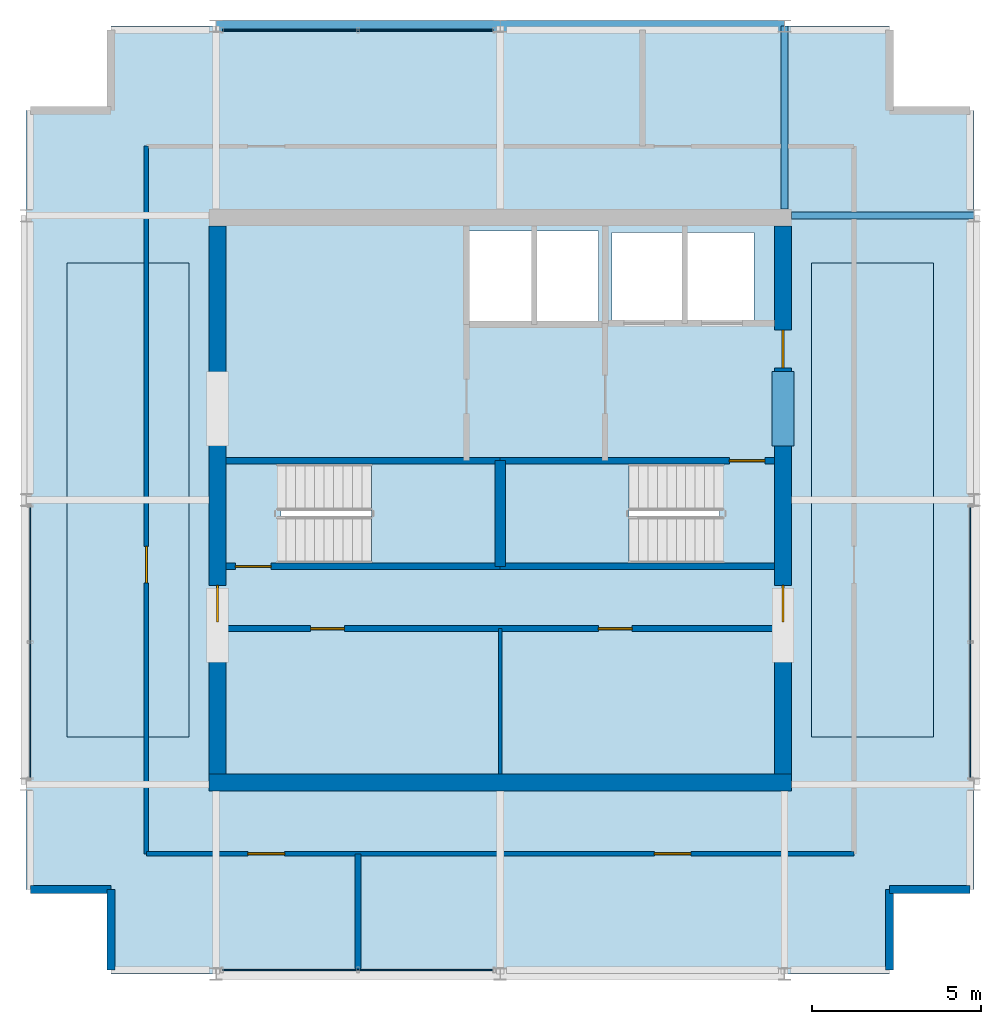
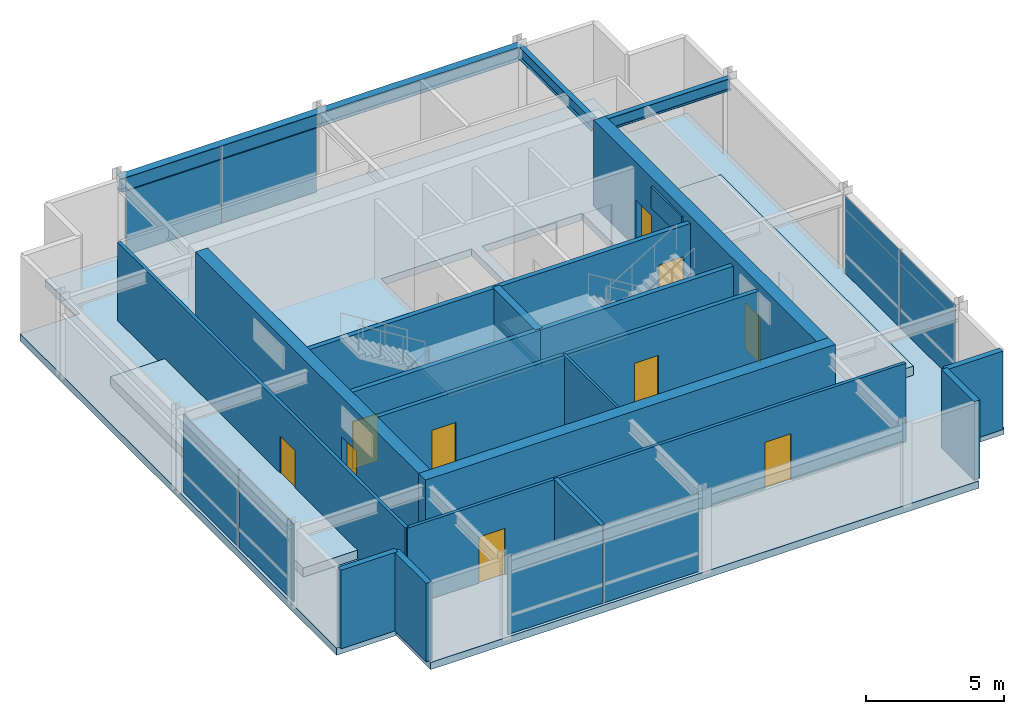
# One storey, part 9 of 12: 17 walls, 10 doors, 8 plates, 5 slabs, 4 beams, 10 openings, 6 elements without a shape of their own.
"""IFC4 building model written with IfcOpenShell, lengths in metres."""

from ifc_helpers import new_model, si_unit, direction, frame, frame_2d, origin, origin_2d, place, context, subcontext, project, spatial, polyline, rectangle, i_section, outline, extrude, material, layer, layer_set, material_profile, profile_set, type_object, element, fill, aggregate, save


model = new_model("IFC4")

# Units and contexts
model_context = context("Model", 3, precision=1e-05, world=origin(), true_north=direction((0.0, 1.0)))
body_context = subcontext(model_context, "Body", "Model", "MODEL_VIEW")
ifc_project = project(units=[si_unit("LENGTHUNIT", "METRE"), si_unit("AREAUNIT", "SQUARE_METRE"), si_unit("VOLUMEUNIT", "CUBIC_METRE"), si_unit("PLANEANGLEUNIT", "RADIAN"), si_unit("MASSUNIT", "GRAM", prefix="KILO")], contexts=[model_context])

# Site, building, storey
site_placement = place(None, origin())
site = spatial("IfcSite", under=ifc_project, at=site_placement, CompositionType="ELEMENT")
building_placement = place(site_placement, origin())
building = spatial("IfcBuilding", under=site, at=building_placement, Name="Drelvath Grand Hotel", CompositionType="ELEMENT")
storey_placement = place(building_placement, frame((0.0, 0.0, 319.39990234375)))
storey = spatial("IfcBuildingStorey", under=building, at=storey_placement, Name="L83", CompositionType="ELEMENT", Elevation=319.39990234375)

# Beams
ifc_material_1 = material(Name="Concrete f'c 55 MPa", Category="concrete")
ifc_material_profile_1 = material_profile(ifc_material_1, rectangle(XDim=0.64990234375, YDim=0.949951171875, at=origin_2d()), Name="CB650X950")
ifc_profile_set_1 = profile_set([ifc_material_profile_1], Name="Concrete f'c 55 MPa")
beam_type_1 = type_object("IfcBeamType", Name="Core Coupling Lintel CB650X950", PredefinedType="LINTEL", material=ifc_profile_set_1)
beam_1_placement = place(storey_placement, frame((8.35009765625, 28.60009765625, 3.005126953125), z_axis=(0.0, 1.0, 0.0), x_axis=(-1.0, 0.0, 0.0)))
element("IfcBeam", 1, at=beam_1_placement, inside=storey, type_object=beam_type_1, Name="L83 Core Coupling Lintel EN", PredefinedType="LINTEL", context=body_context, shape_type="SweptSolid", body=[
    extrude(rectangle(XDim=0.64990234375, YDim=0.949951171875, at=origin_2d()), origin(), (0.0, 0.0, 1.0), 2.199951171875),
])
ifc_material_2 = material(Name="Steel ASTM A992 Gr 50", Category="steel")
ifc_material_profile_2 = material_profile(ifc_material_2, i_section(OverallWidth=0.210205078125, OverallDepth=0.53662109375, WebThickness=0.010986328125, FlangeThickness=0.017333984375, FilletRadius=0.01806640625, at=origin_2d()), Name="W21X68")
ifc_profile_set_2 = profile_set([ifc_material_profile_2], Name="Steel ASTM A992 Gr 50")
beam_type_2 = type_object("IfcBeamType", Name="Primary Floor Girder W21X68", PredefinedType="BEAM", material=ifc_profile_set_2)
for number, where, z_axis, x_axis, name in (
    (2, (8.60009765625, 35.39990234375, 3.211669921875), (1.0, 0.0, 0.0), (0.0, 1.0, 0.0), "L83 Crown Drum Tie East F"),
    (3, (8.39990234375, 35.60009765625, 3.211669921875), (0.0, 1.0, 0.0), (-1.0, 0.0, 0.0), "L83 Crown Drum Tie North 6"),
):
    element("IfcBeam", number, at=place(storey_placement, frame(where, z_axis=z_axis, x_axis=x_axis)), inside=storey, type_object=beam_type_2, Name=name, PredefinedType="BEAM", context=body_context, shape_type="SweptSolid", body=[
        extrude(i_section(OverallWidth=0.210205078125, OverallDepth=0.53662109375, WebThickness=0.010986328125, FlangeThickness=0.017333984375, FilletRadius=0.01806640625, at=origin_2d()), origin(), (0.0, 0.0, 1.0), 5.39990234375),
    ])
ifc_material_profile_3 = material_profile(ifc_material_2, i_section(OverallWidth=0.323974609375, OverallDepth=0.611083984375, WebThickness=0.0126953125, FlangeThickness=0.01904296875, FilletRadius=0.02197265625, at=origin_2d()), Name="W24X104")
ifc_profile_set_3 = profile_set([ifc_material_profile_3], Name="Steel ASTM A992 Gr 50")
beam_type_3 = type_object("IfcBeamType", Name="Primary Floor Girder W24X104", PredefinedType="BEAM", material=ifc_profile_set_3)
beam_2_placement = place(storey_placement, frame((-8.39990234375, 41.0, 3.174560546875), z_axis=(1.0, 0.0, 0.0), x_axis=(0.0, 1.0, 0.0)))
element("IfcBeam", 4, at=beam_2_placement, inside=storey, type_object=beam_type_3, Name="L83 Crown Drum Ring Beam North", PredefinedType="BEAM", context=body_context, shape_type="SweptSolid", body=[
    extrude(i_section(OverallWidth=0.323974609375, OverallDepth=0.611083984375, WebThickness=0.0126953125, FlangeThickness=0.01904296875, FilletRadius=0.02197265625, at=origin_2d()), origin(), (0.0, 0.0, 1.0), 16.7998046875),
])

# Slab
ifc_material_3 = material(Name="Concrete f'c 40 MPa", Category="concrete")
ifc_layer_1 = layer(ifc_material_3, 0.320068359375)
ifc_layer_set_1 = layer_set([ifc_layer_1], Name="Concrete f'c 40 MPa")
slab_type_1 = type_object("IfcSlabType", Name="Composite RC Floor Slab 320", PredefinedType="FLOOR", material=ifc_layer_set_1)
slab_1_placement = place(storey_placement, frame((0.0, 0.0, -0.31982421875)))
element("IfcSlab", 5, at=slab_1_placement, inside=storey, type_object=slab_type_1, Name="L83 Structural Floor Slab", PredefinedType="FLOOR", context=body_context, shape_type="SweptSolid", body=[
    extrude(outline(polyline([(-11.5, 13.0), (11.5, 13.0), (11.5, 15.5), (14.0, 15.5), (14.0, 38.5), (11.5, 38.5), (11.5, 41.0), (-11.5, 41.0), (-11.5, 38.5), (-14.0, 38.5), (-14.0, 15.5), (-11.5, 15.5), (-11.5, 13.0)]), holes=[polyline([(-6.47998046875, 25.1201171875), (-6.47998046875, 28.080078125), (-0.14990234375, 28.080078125), (-0.14990234375, 25.1201171875), (-6.47998046875, 25.1201171875)]), polyline([(0.14990234375, 25.1201171875), (0.14990234375, 28.080078125), (6.47998046875, 28.080078125), (6.47998046875, 25.1201171875), (0.14990234375, 25.1201171875)]), polyline([(-0.89990234375, 32.25), (-0.89990234375, 34.949951171875), (2.89990234375, 34.949951171875), (2.89990234375, 32.25), (-0.89990234375, 32.25)]), polyline([(3.300048828125, 32.300048828125), (3.300048828125, 34.89990234375), (7.5, 34.89990234375), (7.5, 32.300048828125), (3.300048828125, 32.300048828125)])]), origin(), (0.0, 0.0, 1.0), 0.31982421875),
])

# Stair, slab
ifc_material_4 = material(Name="Concrete C40/50", Category="concrete")
stair_type = type_object("IfcStairType", Name="Dogleg Exit Stair W1400-R172.7", PredefinedType="HALF_TURN_STAIR", material=ifc_material_4)
stair_1_placement = place(storey_placement, origin())
stair_1 = element("IfcStair", 6, at=stair_1_placement, inside=storey, type_object=stair_type, Name="L83 Core Exit Stair ST-1", PredefinedType="HALF_TURN_STAIR")
ifc_layer_2 = layer(ifc_material_4, 0.199951171875)
ifc_layer_set_2 = layer_set([ifc_layer_2], Name="Concrete C40/50")
slab_type_2 = type_object("IfcSlabType", Name="Concrete Stair Landing Slab 200", PredefinedType="LANDING", material=ifc_layer_set_2)
slab_2_placement = place(storey_placement, frame((0.0, 0.0, 1.7001953125)))
slab_2 = element("IfcSlab", 7, at=slab_2_placement, type_object=slab_type_2, Name="ST-1 landing 1", PredefinedType="LANDING", context=body_context, shape_type="SweptSolid", body=[
    extrude(outline(polyline([(-3.800048828125, 25.1201171875), (-0.14990234375, 25.1201171875), (-0.14990234375, 28.080078125), (-3.800048828125, 28.080078125), (-3.800048828125, 25.1201171875)])), origin(), (0.0, 0.0, 1.0), 0.199951171875),
])
aggregate(stair_1, [slab_2])

stair_2_placement = place(storey_placement, origin())
stair_2 = element("IfcStair", 8, at=stair_2_placement, inside=storey, type_object=stair_type, Name="L83 Core Exit Stair ST-2", PredefinedType="HALF_TURN_STAIR")
slab_3_placement = place(storey_placement, frame((0.0, 0.0, 1.7001953125)))
slab_3 = element("IfcSlab", 9, at=slab_3_placement, type_object=slab_type_2, Name="ST-2 landing 1", PredefinedType="LANDING", context=body_context, shape_type="SweptSolid", body=[
    extrude(outline(polyline([(3.800048828125, 28.080078125), (0.14990234375, 28.080078125), (0.14990234375, 25.1201171875), (3.800048828125, 25.1201171875), (3.800048828125, 28.080078125)])), origin(), (0.0, 0.0, 1.0), 0.199951171875),
])
aggregate(stair_2, [slab_3])

# Slabs
ifc_layer_3 = layer(ifc_material_3, 0.39990234375)
ifc_layer_set_3 = layer_set([ifc_layer_3], Name="Concrete f'c 40 MPa")
slab_type_3 = type_object("IfcSlabType", Name="Crown Mechanical Equipment Plinth 400", PredefinedType="FLOOR", material=ifc_layer_set_3)
slab_4_placement = place(storey_placement, origin())
element("IfcSlab", 10, at=slab_4_placement, inside=storey, type_object=slab_type_3, Name="L83 Crown Chiller and Transmitter Plant Plinth 1", PredefinedType="FLOOR", context=body_context, shape_type="SweptSolid", body=[
    extrude(outline(polyline([(-12.800048828125, 20.0), (-9.199951171875, 20.0), (-9.199951171875, 34.0), (-12.800048828125, 34.0), (-12.800048828125, 20.0)])), origin(), (0.0, 0.0, 1.0), 0.400146484375),
])
slab_5_placement = place(storey_placement, origin())
element("IfcSlab", 11, at=slab_5_placement, inside=storey, type_object=slab_type_3, Name="L83 Crown Chiller and Transmitter Plant Plinth 2", PredefinedType="FLOOR", context=body_context, shape_type="SweptSolid", body=[
    extrude(outline(polyline([(9.199951171875, 20.0), (12.800048828125, 20.0), (12.800048828125, 34.0), (9.199951171875, 34.0), (9.199951171875, 20.0)])), origin(), (0.0, 0.0, 1.0), 0.400146484375),
])

# Curtain wall, plates
ifc_material_5 = material(Name="Pale-Metal Anodised Aluminium Crown Frame", Category="aluminium")
ifc_layer_4 = layer(ifc_material_5, 0.199951171875)
ifc_layer_set_4 = layer_set([ifc_layer_4], Name="Pale-Metal Anodised Aluminium Crown Frame")
curtain_wall_type = type_object("IfcCurtainWallType", Name="Stick Curtain Wall CW-06 Pale-Metal Crown Clerestory", PredefinedType="NOTDEFINED", material=ifc_layer_set_4)
curtain_wall_1_placement = place(storey_placement, origin())
curtain_wall_1 = element("IfcCurtainWall", 12, at=curtain_wall_1_placement, inside=storey, type_object=curtain_wall_type, Name="L83 CW-06 Curtain Wall CW06-L83-W", PredefinedType="NOTDEFINED")
ifc_material_6 = material(Name="Insulated Spandrel Laminated Crown Glass", Category="glass")
ifc_layer_5 = layer(ifc_material_6, 0.035888671875)
ifc_layer_set_5 = layer_set([ifc_layer_5], Name="Insulated Spandrel Laminated Crown Glass")
plate_type = type_object("IfcPlateType", Name="Curtain Wall Vision Panel CW-06 36mm", PredefinedType="CURTAIN_PANEL", material=ifc_layer_set_5)
plate_1_placement = place(storey_placement, frame((-13.8798828125, 20.787109375, 0.02001953125), z_axis=(0.0, 0.0, 1.0), x_axis=(0.0, 1.0, 0.0)))
plate_1 = element("IfcPlate", 13, at=plate_1_placement, type_object=plate_type, Name="CW06-L83-W Glazed Panel 1", PredefinedType="CURTAIN_PANEL", context=body_context, shape_type="SweptSolid", body=[
    extrude(rectangle(XDim=3.986083984375, YDim=0.035888671875, at=origin_2d()), origin(), (0.0, 0.0, 1.0), 3.43994140625),
])
plate_2_placement = place(storey_placement, frame((-13.8798828125, 24.81298828125, 0.02001953125), z_axis=(0.0, 0.0, 1.0), x_axis=(0.0, 1.0, 0.0)))
plate_2 = element("IfcPlate", 14, at=plate_2_placement, type_object=plate_type, Name="CW06-L83-W Glazed Panel 2", PredefinedType="CURTAIN_PANEL", context=body_context, shape_type="SweptSolid", body=[
    extrude(rectangle(XDim=3.986083984375, YDim=0.035888671875, at=origin_2d()), origin(), (0.0, 0.0, 1.0), 3.43994140625),
])
aggregate(curtain_wall_1, [plate_1, plate_2])

curtain_wall_2_placement = place(storey_placement, origin())
curtain_wall_2 = element("IfcCurtainWall", 15, at=curtain_wall_2_placement, inside=storey, type_object=curtain_wall_type, Name="L83 CW-06 Curtain Wall CW06-L83-E", PredefinedType="NOTDEFINED")
plate_3_placement = place(storey_placement, frame((13.8798828125, 24.81298828125, 0.02001953125), z_axis=(0.0, 0.0, 1.0), x_axis=(0.0, -1.0, 0.0)))
plate_3 = element("IfcPlate", 16, at=plate_3_placement, type_object=plate_type, Name="CW06-L83-E Glazed Panel 1", PredefinedType="CURTAIN_PANEL", context=body_context, shape_type="SweptSolid", body=[
    extrude(rectangle(XDim=3.986083984375, YDim=0.035888671875, at=origin_2d()), origin(), (0.0, 0.0, 1.0), 3.43994140625),
])
plate_4_placement = place(storey_placement, frame((13.8798828125, 20.787109375, 0.02001953125), z_axis=(0.0, 0.0, 1.0), x_axis=(0.0, -1.0, 0.0)))
plate_4 = element("IfcPlate", 17, at=plate_4_placement, type_object=plate_type, Name="CW06-L83-E Glazed Panel 2", PredefinedType="CURTAIN_PANEL", context=body_context, shape_type="SweptSolid", body=[
    extrude(rectangle(XDim=3.986083984375, YDim=0.035888671875, at=origin_2d()), origin(), (0.0, 0.0, 1.0), 3.43994140625),
])
aggregate(curtain_wall_2, [plate_3, plate_4])

curtain_wall_3_placement = place(storey_placement, origin())
curtain_wall_3 = element("IfcCurtainWall", 18, at=curtain_wall_3_placement, inside=storey, type_object=curtain_wall_type, Name="L83 CW-06 Curtain Wall CW06-L83-N", PredefinedType="NOTDEFINED")
plate_5_placement = place(storey_placement, frame((-6.209716796875, 40.8798828125, 0.02001953125), z_axis=(0.0, 0.0, 1.0), x_axis=(1.0, 0.0, 0.0)))
plate_5 = element("IfcPlate", 19, at=plate_5_placement, type_object=plate_type, Name="CW06-L83-N Glazed Panel 1", PredefinedType="CURTAIN_PANEL", context=body_context, shape_type="SweptSolid", body=[
    extrude(rectangle(XDim=3.9794921875, YDim=0.035888671875, at=origin_2d()), origin(), (0.0, 0.0, 1.0), 3.43994140625),
])
plate_6_placement = place(storey_placement, frame((-2.190185546875, 40.8798828125, 0.02001953125), z_axis=(0.0, 0.0, 1.0), x_axis=(1.0, 0.0, 0.0)))
plate_6 = element("IfcPlate", 20, at=plate_6_placement, type_object=plate_type, Name="CW06-L83-N Glazed Panel 2", PredefinedType="CURTAIN_PANEL", context=body_context, shape_type="SweptSolid", body=[
    extrude(rectangle(XDim=3.9794921875, YDim=0.035888671875, at=origin_2d()), origin(), (0.0, 0.0, 1.0), 3.43994140625),
])
aggregate(curtain_wall_3, [plate_5, plate_6])

curtain_wall_4_placement = place(storey_placement, origin())
curtain_wall_4 = element("IfcCurtainWall", 21, at=curtain_wall_4_placement, inside=storey, type_object=curtain_wall_type, Name="L83 CW-06 Curtain Wall CW06-L83-S", PredefinedType="NOTDEFINED")
plate_7_placement = place(storey_placement, frame((-2.190185546875, 13.1201171875, 0.02001953125), z_axis=(0.0, 0.0, 1.0), x_axis=(-1.0, 0.0, 0.0)))
plate_7 = element("IfcPlate", 22, at=plate_7_placement, type_object=plate_type, Name="CW06-L83-S Glazed Panel 1", PredefinedType="CURTAIN_PANEL", context=body_context, shape_type="SweptSolid", body=[
    extrude(rectangle(XDim=3.9794921875, YDim=0.035888671875, at=origin_2d()), origin(), (0.0, 0.0, 1.0), 3.43994140625),
])
plate_8_placement = place(storey_placement, frame((-6.209716796875, 13.1201171875, 0.02001953125), z_axis=(0.0, 0.0, 1.0), x_axis=(-1.0, 0.0, 0.0)))
plate_8 = element("IfcPlate", 23, at=plate_8_placement, type_object=plate_type, Name="CW06-L83-S Glazed Panel 2", PredefinedType="CURTAIN_PANEL", context=body_context, shape_type="SweptSolid", body=[
    extrude(rectangle(XDim=3.9794921875, YDim=0.035888671875, at=origin_2d()), origin(), (0.0, 0.0, 1.0), 3.43994140625),
])
aggregate(curtain_wall_4, [plate_7, plate_8])

# Wall
ifc_material_7 = material(Name="Gypsum Partition Board")
ifc_layer_6 = layer(ifc_material_7, 0.10009765625)
ifc_layer_set_6 = layer_set([ifc_layer_6], Name="Gypsum Partition Board")
wall_type_1 = type_object("IfcWallType", Name="Core Closet Partition 100", PredefinedType="PARTITIONING", material=ifc_layer_set_6)
wall_1_placement = place(storey_placement, frame((0.0, 18.89990234375, 0.0), z_axis=(0.0, 0.0, 1.0), x_axis=(0.0, 1.0, 0.0)))
element("IfcWall", 24, at=wall_1_placement, inside=storey, type_object=wall_type_1, Name="L83 Crown Core Split", PredefinedType="PARTITIONING", context=body_context, shape_type="SweptSolid", body=[
    extrude(rectangle(XDim=4.300048828125, YDim=0.10009765625, at=frame_2d((2.14990234375, 0.0))), origin(), (0.0, 0.0, 1.0), 3.47998046875),
])

# Wall, opening, door
ifc_layer_7 = layer(ifc_material_4, 0.199951171875)
ifc_layer_set_7 = layer_set([ifc_layer_7], Name="Concrete C40/50")
wall_type_2 = type_object("IfcWallType", Name="Core Shaft Fire Wall 200", PredefinedType="SOLIDWALL", material=ifc_layer_set_7)
wall_2_placement = place(storey_placement, frame((-8.10009765625, 25.0400390625, 0.0), z_axis=(0.0, 0.0, 1.0), x_axis=(1.0, 0.0, 0.0)))
wall_2 = element("IfcWall", 25, at=wall_2_placement, inside=storey, type_object=wall_type_2, Name="L83 Stair ST-1 South Wall", PredefinedType="SOLIDWALL", context=body_context, shape_type="SweptSolid", body=[
    extrude(rectangle(XDim=8.10009765625, YDim=0.199951171875, at=frame_2d((4.050048828125, 0.0))), origin(), (0.0, 0.0, 1.0), 3.47998046875),
])
opening_1_placement = place(wall_2_placement, frame((0.280029296875, 0.0, 0.0)))
opening_1 = element("IfcOpeningElement", 26, at=opening_1_placement, cuts=wall_2, Name="Opening D-L83-001", PredefinedType="OPENING", context=body_context, shape_type="SweptSolid", body=[
    extrude(rectangle(XDim=1.050048828125, YDim=2.10009765625, at=frame_2d((0.52490234375, 1.050048828125))), frame((0.0, 0.10986328125, 0.0), z_axis=(0.0, -1.0, 0.0), x_axis=(1.0, 0.0, 0.0)), (0.0, 0.0, 1.0), 0.219970703125),
])
ifc_material_8 = material(Name="Painted Steel S275", Category="steel")
door_type_1 = type_object("IfcDoorType", Name="Tower Stairwell Fire Door 1050x2100", OperationType="NOTDEFINED", PredefinedType="DOOR", material=ifc_material_8)
door_1_placement = place(opening_1_placement, origin())
door_1 = element("IfcDoor", 27, at=door_1_placement, inside=storey, type_object=door_type_1, Name="L83 Exit Stair ST-1 Door", OperationType="SINGLE_SWING_LEFT", OverallHeight=2.10009765625, OverallWidth=1.050048828125, PredefinedType="DOOR", context=body_context, shape_type="SweptSolid", body=[
    extrude(rectangle(XDim=1.050048828125, YDim=2.10009765625, at=frame_2d((0.52490234375, 1.050048828125))), frame((0.0, 0.02490234375, 0.0), z_axis=(0.0, -1.0, 0.0), x_axis=(1.0, 0.0, 0.0)), (0.0, 0.0, 1.0), 0.050048828125),
])
fill(opening_1, door_1)

# Walls
for number, where, z_axis, x_axis, name in (
    (28, (-8.10009765625, 28.159912109375, 0.0), (0.0, 0.0, 1.0), (1.0, 0.0, 0.0), "L83 Stair ST-1 North Wall"),
    (29, (0.0, 25.0400390625, 0.0), (0.0, 0.0, 1.0), (1.0, 0.0, 0.0), "L83 Stair ST-2 South Wall"),
):
    element("IfcWall", number, at=place(storey_placement, frame(where, z_axis=z_axis, x_axis=x_axis)), inside=storey, type_object=wall_type_2, Name=name, PredefinedType="SOLIDWALL", context=body_context, shape_type="SweptSolid", body=[
        extrude(rectangle(XDim=8.10009765625, YDim=0.199951171875, at=frame_2d((4.050048828125, 0.0))), origin(), (0.0, 0.0, 1.0), 3.47998046875),
    ])

# Wall, opening, door
wall_3_placement = place(storey_placement, frame((8.10009765625, 28.159912109375, 0.0), z_axis=(0.0, 0.0, 1.0), x_axis=(-1.0, 0.0, 0.0)))
wall_3 = element("IfcWall", 30, at=wall_3_placement, inside=storey, type_object=wall_type_2, Name="L83 Stair ST-2 North Wall", PredefinedType="SOLIDWALL", context=body_context, shape_type="SweptSolid", body=[
    extrude(rectangle(XDim=8.10009765625, YDim=0.199951171875, at=frame_2d((4.050048828125, 0.0))), origin(), (0.0, 0.0, 1.0), 3.47998046875),
])
opening_2_placement = place(wall_3_placement, frame((0.280029296875, 0.0, 0.0)))
opening_2 = element("IfcOpeningElement", 31, at=opening_2_placement, cuts=wall_3, Name="Opening D-L83-002", PredefinedType="OPENING", context=body_context, shape_type="SweptSolid", body=[
    extrude(rectangle(XDim=1.050048828125, YDim=2.10009765625, at=frame_2d((0.52490234375, 1.050048828125))), frame((0.0, 0.10986328125, 0.0), z_axis=(0.0, -1.0, 0.0), x_axis=(1.0, 0.0, 0.0)), (0.0, 0.0, 1.0), 0.219970703125),
])
door_2_placement = place(opening_2_placement, origin())
door_2 = element("IfcDoor", 32, at=door_2_placement, inside=storey, type_object=door_type_1, Name="L83 Exit Stair ST-2 Door", OperationType="SINGLE_SWING_LEFT", OverallHeight=2.10009765625, OverallWidth=1.050048828125, PredefinedType="DOOR", context=body_context, shape_type="SweptSolid", body=[
    extrude(rectangle(XDim=1.050048828125, YDim=2.10009765625, at=frame_2d((0.52490234375, 1.050048828125))), frame((0.0, 0.02490234375, 0.0), z_axis=(0.0, -1.0, 0.0), x_axis=(1.0, 0.0, 0.0)), (0.0, 0.0, 1.0), 0.050048828125),
])
fill(opening_2, door_2)

# Wall
ifc_layer_8 = layer(ifc_material_4, 0.300048828125)
ifc_layer_set_8 = layer_set([ifc_layer_8], Name="Concrete C40/50")
wall_type_3 = type_object("IfcWallType", Name="Core Shaft Fire Wall 300", PredefinedType="SOLIDWALL", material=ifc_layer_set_8)
wall_4_placement = place(storey_placement, frame((0.0, 25.0400390625, 0.0), z_axis=(0.0, 0.0, 1.0), x_axis=(0.0, 1.0, 0.0)))
element("IfcWall", 33, at=wall_4_placement, inside=storey, type_object=wall_type_3, Name="L83 Core Stair Divider Wall", PredefinedType="SOLIDWALL", context=body_context, shape_type="SweptSolid", body=[
    extrude(rectangle(XDim=3.119873046875, YDim=0.300048828125, at=frame_2d((1.56005859375, 0.0))), origin(), (0.0, 0.0, 1.0), 3.47998046875),
])

# Wall, openings, doors
ifc_material_9 = material(Name="Gypsum Fireboard Partition")
ifc_layer_9 = layer(ifc_material_9, 0.135009765625)
ifc_layer_set_9 = layer_set([ifc_layer_9], Name="Gypsum Fireboard Partition")
wall_type_4 = type_object("IfcWallType", Name="Corridor Fire Barrier Wall 135", PredefinedType="PARTITIONING", material=ifc_layer_set_9)
wall_5_placement = place(storey_placement, frame((-10.449951171875, 16.550048828125, 0.0), z_axis=(0.0, 0.0, 1.0), x_axis=(1.0, 0.0, 0.0)))
wall_5 = element("IfcWall", 34, at=wall_5_placement, inside=storey, type_object=wall_type_4, Name="L83 Crown South Corridor Wall", PredefinedType="PARTITIONING", context=body_context, shape_type="SweptSolid", body=[
    extrude(rectangle(XDim=20.89990234375, YDim=0.135009765625, at=frame_2d((10.449951171875, 0.0))), origin(), (0.0, 0.0, 1.0), 3.47998046875),
])
opening_3_placement = place(wall_5_placement, frame((3.0, 0.0, 0.0)))
opening_3 = element("IfcOpeningElement", 35, at=opening_3_placement, cuts=wall_5, Name="Opening D-L83-012", PredefinedType="OPENING", context=body_context, shape_type="SweptSolid", body=[
    extrude(rectangle(XDim=1.080078125, YDim=2.0400390625, at=frame_2d((0.5400390625, 1.02001953125))), frame((0.0, 0.077392578125, 0.0), z_axis=(0.0, -1.0, 0.0), x_axis=(1.0, 0.0, 0.0)), (0.0, 0.0, 1.0), 0.155029296875),
])
opening_4_placement = place(wall_5_placement, frame((15.0, 0.0, 0.0)))
opening_4 = element("IfcOpeningElement", 36, at=opening_4_placement, cuts=wall_5, Name="Opening D-L83-013", PredefinedType="OPENING", context=body_context, shape_type="SweptSolid", body=[
    extrude(rectangle(XDim=1.080078125, YDim=2.0400390625, at=frame_2d((0.5400390625, 1.02001953125))), frame((0.0, 0.077392578125, 0.0), z_axis=(0.0, -1.0, 0.0), x_axis=(1.0, 0.0, 0.0)), (0.0, 0.0, 1.0), 0.155029296875),
])
door_type_2 = type_object("IfcDoorType", Name="Core Corridor Fire Door 1080x2100", OperationType="NOTDEFINED", PredefinedType="DOOR", material=ifc_material_8)
door_3_placement = place(opening_3_placement, origin())
door_3 = element("IfcDoor", 37, at=door_3_placement, inside=storey, type_object=door_type_2, Name="L83 Cooling Plant Door", OperationType="SINGLE_SWING_RIGHT", OverallHeight=2.0400390625, OverallWidth=1.080078125, PredefinedType="DOOR", context=body_context, shape_type="SweptSolid", body=[
    extrude(rectangle(XDim=1.080078125, YDim=2.0400390625, at=frame_2d((0.5400390625, 1.02001953125))), frame((0.0, 0.02490234375, 0.0), z_axis=(0.0, -1.0, 0.0), x_axis=(1.0, 0.0, 0.0)), (0.0, 0.0, 1.0), 0.050048828125),
])
fill(opening_3, door_3)
door_4_placement = place(opening_4_placement, origin())
door_4 = element("IfcDoor", 38, at=door_4_placement, inside=storey, type_object=door_type_2, Name="L83 Fire Pump Plant Door", OperationType="SINGLE_SWING_LEFT", OverallHeight=2.0400390625, OverallWidth=1.080078125, PredefinedType="DOOR", context=body_context, shape_type="SweptSolid", body=[
    extrude(rectangle(XDim=1.080078125, YDim=2.0400390625, at=frame_2d((0.5400390625, 1.02001953125))), frame((0.0, 0.02490234375, 0.0), z_axis=(0.0, -1.0, 0.0), x_axis=(1.0, 0.0, 0.0)), (0.0, 0.0, 1.0), 0.050048828125),
])
fill(opening_4, door_4)

# Wall, opening, door
wall_6_placement = place(storey_placement, frame((-10.449951171875, 16.550048828125, 0.0), z_axis=(0.0, 0.0, 1.0), x_axis=(0.0, 1.0, 0.0)))
wall_6 = element("IfcWall", 39, at=wall_6_placement, inside=storey, type_object=wall_type_4, Name="L83 Crown West Corridor Wall", PredefinedType="PARTITIONING", context=body_context, shape_type="SweptSolid", body=[
    extrude(rectangle(XDim=20.89990234375, YDim=0.135009765625, at=frame_2d((10.449951171875, 0.0))), origin(), (0.0, 0.0, 1.0), 3.47998046875),
])
opening_5_placement = place(wall_6_placement, frame((8.0, 0.0, 0.0)))
opening_5 = element("IfcOpeningElement", 40, at=opening_5_placement, cuts=wall_6, Name="Opening D-L83-016", PredefinedType="OPENING", context=body_context, shape_type="SweptSolid", body=[
    extrude(rectangle(XDim=1.080078125, YDim=2.0400390625, at=frame_2d((0.5400390625, 1.02001953125))), frame((0.0, 0.077392578125, 0.0), z_axis=(0.0, -1.0, 0.0), x_axis=(1.0, 0.0, 0.0)), (0.0, 0.0, 1.0), 0.155029296875),
])
door_5_placement = place(opening_5_placement, origin())
door_5 = element("IfcDoor", 41, at=door_5_placement, inside=storey, type_object=door_type_2, Name="L83 Drive Plant Door", OperationType="SINGLE_SWING_RIGHT", OverallHeight=2.0400390625, OverallWidth=1.080078125, PredefinedType="DOOR", context=body_context, shape_type="SweptSolid", body=[
    extrude(rectangle(XDim=1.080078125, YDim=2.0400390625, at=frame_2d((0.5400390625, 1.02001953125))), frame((0.0, 0.02490234375, 0.0), z_axis=(0.0, -1.0, 0.0), x_axis=(1.0, 0.0, 0.0)), (0.0, 0.0, 1.0), 0.050048828125),
])
fill(opening_5, door_5)

# Wall, openings, doors
ifc_layer_10 = layer(ifc_material_9, 0.179931640625)
ifc_layer_set_10 = layer_set([ifc_layer_10], Name="Gypsum Fireboard Partition")
wall_type_5 = type_object("IfcWallType", Name="FSAE Smoke Lobby Fire Wall 180", PredefinedType="SOLIDWALL", material=ifc_layer_set_10)
wall_7_placement = place(storey_placement, frame((-8.10009765625, 23.199951171875, 0.0), z_axis=(0.0, 0.0, 1.0), x_axis=(1.0, 0.0, 0.0)))
wall_7 = element("IfcWall", 42, at=wall_7_placement, inside=storey, type_object=wall_type_5, Name="L83 Upper Reclaimed Core Wall", PredefinedType="SOLIDWALL", context=body_context, shape_type="SweptSolid", body=[
    extrude(rectangle(XDim=16.2001953125, YDim=0.179931640625, at=frame_2d((8.10009765625, 0.0))), origin(), (0.0, 0.0, 1.0), 3.47998046875),
])
opening_6_placement = place(wall_7_placement, frame((2.5, 0.0, 0.0)))
opening_6 = element("IfcOpeningElement", 43, at=opening_6_placement, cuts=wall_7, Name="Opening D-L83-010", PredefinedType="OPENING", context=body_context, shape_type="SweptSolid", body=[
    extrude(rectangle(XDim=1.0, YDim=2.10009765625, at=frame_2d((0.5, 1.050048828125))), frame((0.0, 0.099853515625, 0.0), z_axis=(0.0, -1.0, 0.0), x_axis=(1.0, 0.0, 0.0)), (0.0, 0.0, 1.0), 0.199951171875),
])
opening_7_placement = place(wall_7_placement, frame((11.0, 0.0, 0.0)))
opening_7 = element("IfcOpeningElement", 44, at=opening_7_placement, cuts=wall_7, Name="Opening D-L83-011", PredefinedType="OPENING", context=body_context, shape_type="SweptSolid", body=[
    extrude(rectangle(XDim=1.0, YDim=2.10009765625, at=frame_2d((0.5, 1.050048828125))), frame((0.0, 0.099853515625, 0.0), z_axis=(0.0, -1.0, 0.0), x_axis=(1.0, 0.0, 0.0)), (0.0, 0.0, 1.0), 0.199951171875),
])
door_type_3 = type_object("IfcDoorType", Name="Core Service Fire Door 1000x2100", OperationType="NOTDEFINED", PredefinedType="DOOR", material=ifc_material_8)
door_6_placement = place(opening_6_placement, origin())
door_6 = element("IfcDoor", 45, at=door_6_placement, inside=storey, type_object=door_type_3, Name="L83 Switchroom Door", OperationType="SINGLE_SWING_RIGHT", OverallHeight=2.10009765625, OverallWidth=1.0, PredefinedType="DOOR", context=body_context, shape_type="SweptSolid", body=[
    extrude(rectangle(XDim=1.0, YDim=2.10009765625, at=frame_2d((0.5, 1.050048828125))), frame((0.0, 0.02490234375, 0.0), z_axis=(0.0, -1.0, 0.0), x_axis=(1.0, 0.0, 0.0)), (0.0, 0.0, 1.0), 0.050048828125),
])
fill(opening_6, door_6)
door_7_placement = place(opening_7_placement, origin())
door_7 = element("IfcDoor", 46, at=door_7_placement, inside=storey, type_object=door_type_3, Name="L83 UPS Room Door", OperationType="SINGLE_SWING_LEFT", OverallHeight=2.10009765625, OverallWidth=1.0, PredefinedType="DOOR", context=body_context, shape_type="SweptSolid", body=[
    extrude(rectangle(XDim=1.0, YDim=2.10009765625, at=frame_2d((0.5, 1.050048828125))), frame((0.0, 0.02490234375, 0.0), z_axis=(0.0, -1.0, 0.0), x_axis=(1.0, 0.0, 0.0)), (0.0, 0.0, 1.0), 0.050048828125),
])
fill(opening_7, door_7)

# Walls
wall_8_placement = place(storey_placement, frame((-4.199951171875, 13.1201171875, 0.0), z_axis=(0.0, 0.0, 1.0), x_axis=(0.0, 1.0, 0.0)))
element("IfcWall", 47, at=wall_8_placement, inside=storey, type_object=wall_type_5, Name="L83 Crown South Split", PredefinedType="SOLIDWALL", context=body_context, shape_type="SweptSolid", body=[
    extrude(rectangle(XDim=3.429931640625, YDim=0.179931640625, at=frame_2d((1.71484375, 0.0))), origin(), (0.0, 0.0, 1.0), 3.47998046875),
])
ifc_material_10 = material(Name="Pale-Metal Insulated Aluminium Spandrel Assembly", Category="aluminium")
ifc_layer_11 = layer(ifc_material_10, 0.239990234375)
ifc_layer_set_11 = layer_set([ifc_layer_11], Name="Pale-Metal Insulated Aluminium Spandrel Assembly")
wall_type_6 = type_object("IfcWallType", Name="Tower Insulated Metal Spandrel Closure Wall 240", PredefinedType="STANDARD", material=ifc_layer_set_11)
for number, where, z_axis, x_axis, name in (
    (48, (-11.5, 13.1201171875, 0.0), (0.0, 0.0, 1.0), (0.0, 1.0, 0.0), "L83 Crown Drum Corner Wall CSW1"),
    (49, (-11.5, 15.5, 0.0), (0.0, 0.0, 1.0), (-1.0, 0.0, 0.0), "L83 Crown Drum Corner Wall CSW2"),
    (50, (13.8798828125, 15.5, 0.0), (0.0, 0.0, 1.0), (-1.0, 0.0, 0.0), "L83 Crown Drum Corner Wall CSE1"),
    (51, (11.5, 15.5, 0.0), (0.0, 0.0, 1.0), (0.0, -1.0, 0.0), "L83 Crown Drum Corner Wall CSE2"),
):
    element("IfcWall", number, at=place(storey_placement, frame(where, z_axis=z_axis, x_axis=x_axis)), inside=storey, type_object=wall_type_6, Name=name, PredefinedType="STANDARD", context=body_context, shape_type="SweptSolid", body=[
        extrude(rectangle(XDim=2.3798828125, YDim=0.239990234375, at=frame_2d((1.18994140625, 0.0))), origin(), (0.0, 0.0, 1.0), 3.47998046875),
    ])

# Wall, openings, doors
ifc_layer_12 = layer(ifc_material_1, 0.5)
ifc_layer_set_12 = layer_set([ifc_layer_12], Name="Concrete f'c 55 MPa")
wall_type_7 = type_object("IfcWallType", Name="Upper Core RC Shear Wall 500", PredefinedType="SHEAR", material=ifc_layer_set_12)
wall_9_placement = place(storey_placement, frame((8.35009765625, 35.10009765625, 0.0), z_axis=(0.0, 0.0, 1.0), x_axis=(0.0, -1.0, 0.0)))
wall_9 = element("IfcWall", 52, at=wall_9_placement, inside=storey, type_object=wall_type_7, Name="L83 Central Core Shear Wall E", PredefinedType="SHEAR", context=body_context, shape_type="SweptSolid", body=[
    extrude(rectangle(XDim=16.2001953125, YDim=0.5, at=frame_2d((8.10009765625, 0.0))), origin(), (0.0, 0.0, 1.0), 3.800048828125),
])
opening_8_placement = place(wall_9_placement, frame((3.080078125, 0.0, 0.0)))
opening_8 = element("IfcOpeningElement", 53, at=opening_8_placement, cuts=wall_9, Name="Opening D-L83-006", PredefinedType="OPENING", context=body_context, shape_type="SweptSolid", body=[
    extrude(rectangle(XDim=1.1201171875, YDim=2.10009765625, at=frame_2d((0.56005859375, 1.050048828125))), frame((0.0, 0.260009765625, 0.0), z_axis=(0.0, -1.0, 0.0), x_axis=(1.0, 0.0, 0.0)), (0.0, 0.0, 1.0), 0.52001953125),
])
opening_9_placement = place(wall_9_placement, frame((10.6201171875, 0.0, 0.0)))
opening_9 = element("IfcOpeningElement", 54, at=opening_9_placement, cuts=wall_9, Name="Opening D-L83-009", PredefinedType="OPENING", context=body_context, shape_type="SweptSolid", body=[
    extrude(rectangle(XDim=1.080078125, YDim=2.0400390625, at=frame_2d((0.5400390625, 1.02001953125))), frame((0.0, 0.260009765625, 0.0), z_axis=(0.0, -1.0, 0.0), x_axis=(1.0, 0.0, 0.0)), (0.0, 0.0, 1.0), 0.52001953125),
])
door_8_placement = place(opening_9_placement, origin())
door_8 = element("IfcDoor", 55, at=door_8_placement, inside=storey, type_object=door_type_2, Name="L83 Core Passage East Door", OperationType="SINGLE_SWING_LEFT", OverallHeight=2.0400390625, OverallWidth=1.080078125, PredefinedType="DOOR", context=body_context, shape_type="SweptSolid", body=[
    extrude(rectangle(XDim=1.080078125, YDim=2.0400390625, at=frame_2d((0.5400390625, 1.02001953125))), frame((0.0, 0.02490234375, 0.0), z_axis=(0.0, -1.0, 0.0), x_axis=(1.0, 0.0, 0.0)), (0.0, 0.0, 1.0), 0.050048828125),
])
fill(opening_9, door_8)
door_type_4 = type_object("IfcDoorType", Name="FSAE Smoke Lobby Fire Door 1120x2100", OperationType="NOTDEFINED", PredefinedType="DOOR", material=ifc_material_8)
door_9_placement = place(opening_8_placement, origin())
door_9 = element("IfcDoor", 56, at=door_9_placement, inside=storey, type_object=door_type_4, Name="L83 FSAE Lobby East Corridor Door", OperationType="SINGLE_SWING_LEFT", OverallHeight=2.10009765625, OverallWidth=1.1201171875, PredefinedType="DOOR", context=body_context, shape_type="SweptSolid", body=[
    extrude(rectangle(XDim=1.1201171875, YDim=2.10009765625, at=frame_2d((0.56005859375, 1.050048828125))), frame((0.0, 0.02490234375, 0.0), z_axis=(0.0, -1.0, 0.0), x_axis=(1.0, 0.0, 0.0)), (0.0, 0.0, 1.0), 0.050048828125),
])
fill(opening_8, door_9)

# Wall
wall_10_placement = place(storey_placement, frame((8.60009765625, 18.64990234375, 0.0), z_axis=(0.0, 0.0, 1.0), x_axis=(-1.0, 0.0, 0.0)))
element("IfcWall", 57, at=wall_10_placement, inside=storey, type_object=wall_type_7, Name="L83 Central Core Shear Wall S", PredefinedType="SHEAR", context=body_context, shape_type="SweptSolid", body=[
    extrude(rectangle(XDim=17.2001953125, YDim=0.5, at=frame_2d((8.60009765625, 0.0))), origin(), (0.0, 0.0, 1.0), 3.800048828125),
])

# Wall, opening, door
wall_11_placement = place(storey_placement, frame((-8.35009765625, 18.89990234375, 0.0), z_axis=(0.0, 0.0, 1.0), x_axis=(0.0, 1.0, 0.0)))
wall_11 = element("IfcWall", 58, at=wall_11_placement, inside=storey, type_object=wall_type_7, Name="L83 Central Core Shear Wall W", PredefinedType="SHEAR", context=body_context, shape_type="SweptSolid", body=[
    extrude(rectangle(XDim=16.2001953125, YDim=0.5, at=frame_2d((8.10009765625, 0.0))), origin(), (0.0, 0.0, 1.0), 3.800048828125),
])
opening_10_placement = place(wall_11_placement, frame((4.5, 0.0, 0.0)))
opening_10 = element("IfcOpeningElement", 59, at=opening_10_placement, cuts=wall_11, Name="Opening D-L83-008", PredefinedType="OPENING", context=body_context, shape_type="SweptSolid", body=[
    extrude(rectangle(XDim=1.080078125, YDim=2.0400390625, at=frame_2d((0.5400390625, 1.02001953125))), frame((0.0, 0.260009765625, 0.0), z_axis=(0.0, -1.0, 0.0), x_axis=(1.0, 0.0, 0.0)), (0.0, 0.0, 1.0), 0.52001953125),
])
door_10_placement = place(opening_10_placement, origin())
door_10 = element("IfcDoor", 60, at=door_10_placement, inside=storey, type_object=door_type_2, Name="L83 Core Passage West Door", OperationType="SINGLE_SWING_RIGHT", OverallHeight=2.0400390625, OverallWidth=1.080078125, PredefinedType="DOOR", context=body_context, shape_type="SweptSolid", body=[
    extrude(rectangle(XDim=1.080078125, YDim=2.0400390625, at=frame_2d((0.5400390625, 1.02001953125))), frame((0.0, 0.02490234375, 0.0), z_axis=(0.0, -1.0, 0.0), x_axis=(1.0, 0.0, 0.0)), (0.0, 0.0, 1.0), 0.050048828125),
])
fill(opening_10, door_10)

save(model, "model.ifc")
